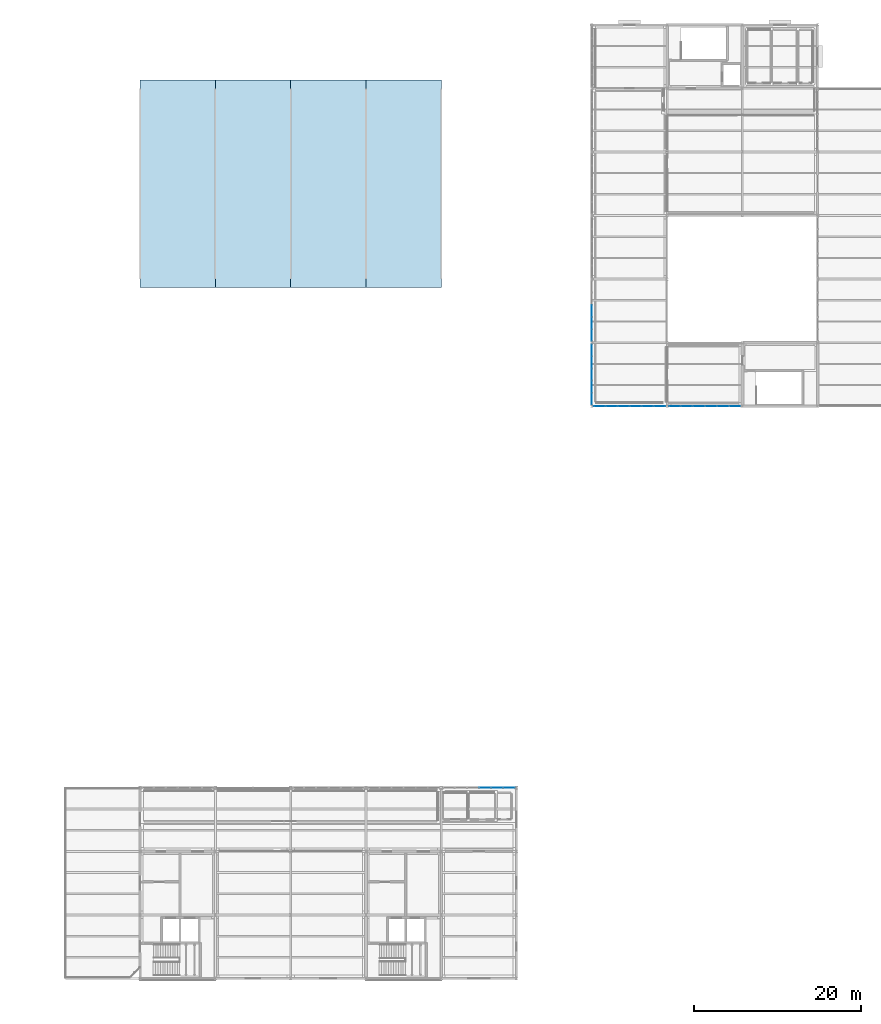
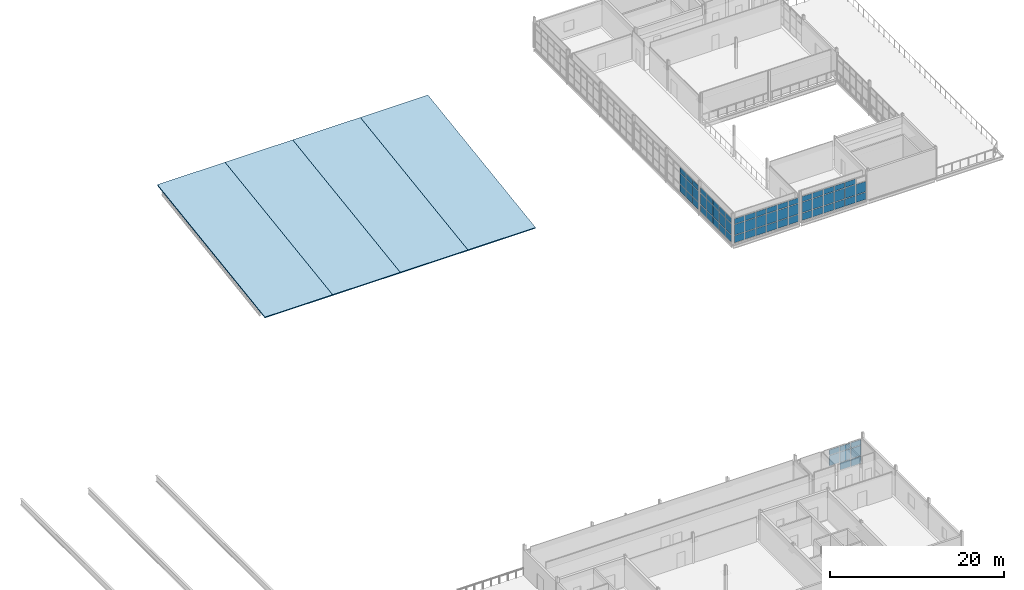
# One storey, part 34 of 48: 67 plates, 4 slabs, 5 elements without a shape of their own.
"""IFC4 building model written with IfcOpenShell, lengths in metres."""

from ifc_helpers import new_model, si_unit, direction, frame, origin, origin_2d, place, context, subcontext, project, spatial, polyline, rectangle, outline, extrude, material, layer, layer_set, type_object, element, aggregate, save


model = new_model("IFC4")

# Units and contexts
model_context = context("Model", 3, precision=1e-05, world=origin(), true_north=direction((0.0, 1.0)))
body_context = subcontext(model_context, "Body", "Model", "MODEL_VIEW")
ifc_project = project(units=[si_unit("LENGTHUNIT", "METRE"), si_unit("AREAUNIT", "SQUARE_METRE"), si_unit("VOLUMEUNIT", "CUBIC_METRE"), si_unit("PLANEANGLEUNIT", "RADIAN"), si_unit("MASSUNIT", "GRAM", prefix="KILO")], contexts=[model_context])

# Site, building, storey
site_placement = place(None, origin())
site = spatial("IfcSite", under=ifc_project, at=site_placement, CompositionType="ELEMENT")
building_placement = place(site_placement, origin())
building = spatial("IfcBuilding", under=site, at=building_placement, Name="Caisbarro Railhouse Central Library", CompositionType="ELEMENT")
storey_placement = place(building_placement, frame((0.0, 0.0, 18.0)))
storey = spatial("IfcBuildingStorey", under=building, at=storey_placement, Name="L04", CompositionType="ELEMENT", Elevation=18.0)

# Curtain wall, plates
ifc_material_1 = material(Name="Anodised architectural aluminium", Category="aluminium")
curtain_wall_type = type_object("IfcCurtainWallType", Name="CW-CW02", PredefinedType="NOTDEFINED", material=ifc_material_1)
curtain_wall_1_placement = place(storey_placement, origin())
curtain_wall_1 = element("IfcCurtainWall", 1, at=curtain_wall_1_placement, inside=storey, type_object=curtain_wall_type, Name="CW02 curtain wall L04 #155", PredefinedType="NOTDEFINED")
ifc_material_2 = material(Name="Double low-e laminated solar-control glass", Category="glass")
ifc_layer_1 = layer(ifc_material_2, 0.01806640625, Name="Double low-e laminated solar-control glass")
ifc_layer_set_1 = layer_set([ifc_layer_1], Name="Double low-e laminated solar-control glass")
plate_type_1 = type_object("IfcPlateType", Name="CWP-CP18", PredefinedType="CURTAIN_PANEL", material=ifc_layer_set_1)
plate_1_placement = place(storey_placement, frame((117.0, 69.30419921875, 0.0751953125), z_axis=(0.0, 0.0, 1.0), x_axis=(0.0, 1.0, 0.0)))
plate_1 = element("IfcPlate", 2, at=plate_1_placement, type_object=plate_type_1, Name="CW02 panel 1.1", PredefinedType="CURTAIN_PANEL", context=body_context, shape_type="SweptSolid", body=[
    extrude(rectangle(XDim=1.3583984375, YDim=0.01806640625, at=origin_2d()), origin(), (0.0, 0.0, 1.0), 1.007568359375),
])
plate_2_placement = place(storey_placement, frame((117.0, 69.30419921875, 1.15771484375), z_axis=(0.0, 0.0, 1.0), x_axis=(0.0, 1.0, 0.0)))
plate_2 = element("IfcPlate", 3, at=plate_2_placement, type_object=plate_type_1, Name="CW02 panel 1.2", PredefinedType="CURTAIN_PANEL", context=body_context, shape_type="SweptSolid", body=[
    extrude(rectangle(XDim=1.3583984375, YDim=0.01806640625, at=origin_2d()), origin(), (0.0, 0.0, 1.0), 1.514892578125),
])
plate_3_placement = place(storey_placement, frame((117.0, 69.30419921875, 2.74755859375), z_axis=(0.0, 0.0, 1.0), x_axis=(0.0, 1.0, 0.0)))
plate_3 = element("IfcPlate", 4, at=plate_3_placement, type_object=plate_type_1, Name="CW02 panel 1.3", PredefinedType="CURTAIN_PANEL", context=body_context, shape_type="SweptSolid", body=[
    extrude(rectangle(XDim=1.3583984375, YDim=0.01806640625, at=origin_2d()), origin(), (0.0, 0.0, 1.0), 0.737548828125),
])
plate_4_placement = place(storey_placement, frame((117.0, 70.743896484375, 0.0751953125), z_axis=(0.0, 0.0, 1.0), x_axis=(0.0, 1.0, 0.0)))
plate_4 = element("IfcPlate", 5, at=plate_4_placement, type_object=plate_type_1, Name="CW02 panel 2.1", PredefinedType="CURTAIN_PANEL", context=body_context, shape_type="SweptSolid", body=[
    extrude(rectangle(XDim=1.39111328125, YDim=0.01806640625, at=origin_2d()), origin(), (0.0, 0.0, 1.0), 1.007568359375),
])
plate_5_placement = place(storey_placement, frame((117.0, 70.743896484375, 1.15771484375), z_axis=(0.0, 0.0, 1.0), x_axis=(0.0, 1.0, 0.0)))
plate_5 = element("IfcPlate", 6, at=plate_5_placement, type_object=plate_type_1, Name="CW02 panel 2.2", PredefinedType="CURTAIN_PANEL", context=body_context, shape_type="SweptSolid", body=[
    extrude(rectangle(XDim=1.39111328125, YDim=0.01806640625, at=origin_2d()), origin(), (0.0, 0.0, 1.0), 1.514892578125),
])
plate_6_placement = place(storey_placement, frame((117.0, 70.743896484375, 2.74755859375), z_axis=(0.0, 0.0, 1.0), x_axis=(0.0, 1.0, 0.0)))
plate_6 = element("IfcPlate", 7, at=plate_6_placement, type_object=plate_type_1, Name="CW02 panel 2.3", PredefinedType="CURTAIN_PANEL", context=body_context, shape_type="SweptSolid", body=[
    extrude(rectangle(XDim=1.39111328125, YDim=0.01806640625, at=origin_2d()), origin(), (0.0, 0.0, 1.0), 0.737548828125),
])
plate_7_placement = place(storey_placement, frame((117.0, 72.199951171875, 0.0751953125), z_axis=(0.0, 0.0, 1.0), x_axis=(0.0, 1.0, 0.0)))
plate_7 = element("IfcPlate", 8, at=plate_7_placement, type_object=plate_type_1, Name="CW02 panel 3.1", PredefinedType="CURTAIN_PANEL", context=body_context, shape_type="SweptSolid", body=[
    extrude(rectangle(XDim=1.39111328125, YDim=0.01806640625, at=origin_2d()), origin(), (0.0, 0.0, 1.0), 1.007568359375),
])
plate_8_placement = place(storey_placement, frame((117.0, 72.199951171875, 1.15771484375), z_axis=(0.0, 0.0, 1.0), x_axis=(0.0, 1.0, 0.0)))
plate_8 = element("IfcPlate", 9, at=plate_8_placement, type_object=plate_type_1, Name="CW02 panel 3.2", PredefinedType="CURTAIN_PANEL", context=body_context, shape_type="SweptSolid", body=[
    extrude(rectangle(XDim=1.39111328125, YDim=0.01806640625, at=origin_2d()), origin(), (0.0, 0.0, 1.0), 1.514892578125),
])
plate_9_placement = place(storey_placement, frame((117.0, 72.199951171875, 2.74755859375), z_axis=(0.0, 0.0, 1.0), x_axis=(0.0, 1.0, 0.0)))
plate_9 = element("IfcPlate", 10, at=plate_9_placement, type_object=plate_type_1, Name="CW02 panel 3.3", PredefinedType="CURTAIN_PANEL", context=body_context, shape_type="SweptSolid", body=[
    extrude(rectangle(XDim=1.39111328125, YDim=0.01806640625, at=origin_2d()), origin(), (0.0, 0.0, 1.0), 0.737548828125),
])
plate_10_placement = place(storey_placement, frame((117.0, 73.656005859375, 0.0751953125), z_axis=(0.0, 0.0, 1.0), x_axis=(0.0, 1.0, 0.0)))
plate_10 = element("IfcPlate", 11, at=plate_10_placement, type_object=plate_type_1, Name="CW02 panel 4.1", PredefinedType="CURTAIN_PANEL", context=body_context, shape_type="SweptSolid", body=[
    extrude(rectangle(XDim=1.39111328125, YDim=0.01806640625, at=origin_2d()), origin(), (0.0, 0.0, 1.0), 1.007568359375),
])
plate_11_placement = place(storey_placement, frame((117.0, 73.656005859375, 1.15771484375), z_axis=(0.0, 0.0, 1.0), x_axis=(0.0, 1.0, 0.0)))
plate_11 = element("IfcPlate", 12, at=plate_11_placement, type_object=plate_type_1, Name="CW02 panel 4.2", PredefinedType="CURTAIN_PANEL", context=body_context, shape_type="SweptSolid", body=[
    extrude(rectangle(XDim=1.39111328125, YDim=0.01806640625, at=origin_2d()), origin(), (0.0, 0.0, 1.0), 1.514892578125),
])
plate_12_placement = place(storey_placement, frame((117.0, 73.656005859375, 2.74755859375), z_axis=(0.0, 0.0, 1.0), x_axis=(0.0, 1.0, 0.0)))
plate_12 = element("IfcPlate", 13, at=plate_12_placement, type_object=plate_type_1, Name="CW02 panel 4.3", PredefinedType="CURTAIN_PANEL", context=body_context, shape_type="SweptSolid", body=[
    extrude(rectangle(XDim=1.39111328125, YDim=0.01806640625, at=origin_2d()), origin(), (0.0, 0.0, 1.0), 0.737548828125),
])
plate_13_placement = place(storey_placement, frame((117.0, 75.095703125, 0.0751953125), z_axis=(0.0, 0.0, 1.0), x_axis=(0.0, 1.0, 0.0)))
plate_13 = element("IfcPlate", 14, at=plate_13_placement, type_object=plate_type_1, Name="CW02 panel 5.1", PredefinedType="CURTAIN_PANEL", context=body_context, shape_type="SweptSolid", body=[
    extrude(rectangle(XDim=1.3583984375, YDim=0.01806640625, at=origin_2d()), origin(), (0.0, 0.0, 1.0), 1.007568359375),
])
plate_14_placement = place(storey_placement, frame((117.0, 75.095703125, 1.15771484375), z_axis=(0.0, 0.0, 1.0), x_axis=(0.0, 1.0, 0.0)))
plate_14 = element("IfcPlate", 15, at=plate_14_placement, type_object=plate_type_1, Name="CW02 panel 5.2", PredefinedType="CURTAIN_PANEL", context=body_context, shape_type="SweptSolid", body=[
    extrude(rectangle(XDim=1.3583984375, YDim=0.01806640625, at=origin_2d()), origin(), (0.0, 0.0, 1.0), 1.514892578125),
])
plate_15_placement = place(storey_placement, frame((117.0, 75.095703125, 2.74755859375), z_axis=(0.0, 0.0, 1.0), x_axis=(0.0, 1.0, 0.0)))
plate_15 = element("IfcPlate", 16, at=plate_15_placement, type_object=plate_type_1, Name="CW02 panel 5.3", PredefinedType="CURTAIN_PANEL", context=body_context, shape_type="SweptSolid", body=[
    extrude(rectangle(XDim=1.3583984375, YDim=0.01806640625, at=origin_2d()), origin(), (0.0, 0.0, 1.0), 0.737548828125),
])
aggregate(curtain_wall_1, [plate_1, plate_2, plate_3, plate_4, plate_5, plate_6, plate_7, plate_8, plate_9, plate_10, plate_11, plate_12, plate_13, plate_14, plate_15])

curtain_wall_2_placement = place(storey_placement, origin())
curtain_wall_2 = element("IfcCurtainWall", 17, at=curtain_wall_2_placement, inside=storey, type_object=curtain_wall_type, Name="CW02 curtain wall L04 #156", PredefinedType="NOTDEFINED")
ifc_layer_2 = layer(ifc_material_2, 0.028076171875, Name="Double low-e laminated solar-control glass")
ifc_layer_set_2 = layer_set([ifc_layer_2], Name="Double low-e laminated solar-control glass")
plate_type_2 = type_object("IfcPlateType", Name="CWP-CP28", PredefinedType="CURTAIN_PANEL", material=ifc_layer_set_2)
plate_16_placement = place(storey_placement, frame((117.0, 76.904296875, 0.0751953125), z_axis=(0.0, 0.0, 1.0), x_axis=(0.0, 1.0, 0.0)))
plate_16 = element("IfcPlate", 18, at=plate_16_placement, type_object=plate_type_2, Name="CW02 panel 1.1", PredefinedType="CURTAIN_PANEL", context=body_context, shape_type="SweptSolid", body=[
    extrude(rectangle(XDim=1.3583984375, YDim=0.028076171875, at=origin_2d()), origin(), (0.0, 0.0, 1.0), 1.007568359375),
])
plate_17_placement = place(storey_placement, frame((117.0, 76.904296875, 1.15771484375), z_axis=(0.0, 0.0, 1.0), x_axis=(0.0, 1.0, 0.0)))
plate_17 = element("IfcPlate", 19, at=plate_17_placement, type_object=plate_type_2, Name="CW02 panel 1.2", PredefinedType="CURTAIN_PANEL", context=body_context, shape_type="SweptSolid", body=[
    extrude(rectangle(XDim=1.3583984375, YDim=0.028076171875, at=origin_2d()), origin(), (0.0, 0.0, 1.0), 1.514892578125),
])
plate_18_placement = place(storey_placement, frame((117.0, 76.904296875, 2.74755859375), z_axis=(0.0, 0.0, 1.0), x_axis=(0.0, 1.0, 0.0)))
plate_18 = element("IfcPlate", 20, at=plate_18_placement, type_object=plate_type_2, Name="CW02 panel 1.3", PredefinedType="CURTAIN_PANEL", context=body_context, shape_type="SweptSolid", body=[
    extrude(rectangle(XDim=1.3583984375, YDim=0.028076171875, at=origin_2d()), origin(), (0.0, 0.0, 1.0), 0.737548828125),
])
plate_19_placement = place(storey_placement, frame((117.0, 78.343994140625, 0.0751953125), z_axis=(0.0, 0.0, 1.0), x_axis=(0.0, 1.0, 0.0)))
plate_19 = element("IfcPlate", 21, at=plate_19_placement, type_object=plate_type_2, Name="CW02 panel 2.1", PredefinedType="CURTAIN_PANEL", context=body_context, shape_type="SweptSolid", body=[
    extrude(rectangle(XDim=1.39111328125, YDim=0.028076171875, at=origin_2d()), origin(), (0.0, 0.0, 1.0), 1.007568359375),
])
plate_20_placement = place(storey_placement, frame((117.0, 78.343994140625, 1.15771484375), z_axis=(0.0, 0.0, 1.0), x_axis=(0.0, 1.0, 0.0)))
plate_20 = element("IfcPlate", 22, at=plate_20_placement, type_object=plate_type_2, Name="CW02 panel 2.2", PredefinedType="CURTAIN_PANEL", context=body_context, shape_type="SweptSolid", body=[
    extrude(rectangle(XDim=1.39111328125, YDim=0.028076171875, at=origin_2d()), origin(), (0.0, 0.0, 1.0), 1.514892578125),
])
plate_21_placement = place(storey_placement, frame((117.0, 78.343994140625, 2.74755859375), z_axis=(0.0, 0.0, 1.0), x_axis=(0.0, 1.0, 0.0)))
plate_21 = element("IfcPlate", 23, at=plate_21_placement, type_object=plate_type_2, Name="CW02 panel 2.3", PredefinedType="CURTAIN_PANEL", context=body_context, shape_type="SweptSolid", body=[
    extrude(rectangle(XDim=1.39111328125, YDim=0.028076171875, at=origin_2d()), origin(), (0.0, 0.0, 1.0), 0.737548828125),
])
plate_22_placement = place(storey_placement, frame((117.0, 79.800048828125, 0.0751953125), z_axis=(0.0, 0.0, 1.0), x_axis=(0.0, 1.0, 0.0)))
plate_22 = element("IfcPlate", 24, at=plate_22_placement, type_object=plate_type_2, Name="CW02 panel 3.1", PredefinedType="CURTAIN_PANEL", context=body_context, shape_type="SweptSolid", body=[
    extrude(rectangle(XDim=1.39111328125, YDim=0.028076171875, at=origin_2d()), origin(), (0.0, 0.0, 1.0), 1.007568359375),
])
plate_23_placement = place(storey_placement, frame((117.0, 79.800048828125, 1.15771484375), z_axis=(0.0, 0.0, 1.0), x_axis=(0.0, 1.0, 0.0)))
plate_23 = element("IfcPlate", 25, at=plate_23_placement, type_object=plate_type_2, Name="CW02 panel 3.2", PredefinedType="CURTAIN_PANEL", context=body_context, shape_type="SweptSolid", body=[
    extrude(rectangle(XDim=1.39111328125, YDim=0.028076171875, at=origin_2d()), origin(), (0.0, 0.0, 1.0), 1.514892578125),
])
plate_24_placement = place(storey_placement, frame((117.0, 79.800048828125, 2.74755859375), z_axis=(0.0, 0.0, 1.0), x_axis=(0.0, 1.0, 0.0)))
plate_24 = element("IfcPlate", 26, at=plate_24_placement, type_object=plate_type_2, Name="CW02 panel 3.3", PredefinedType="CURTAIN_PANEL", context=body_context, shape_type="SweptSolid", body=[
    extrude(rectangle(XDim=1.39111328125, YDim=0.028076171875, at=origin_2d()), origin(), (0.0, 0.0, 1.0), 0.737548828125),
])
aggregate(curtain_wall_2, [plate_16, plate_17, plate_18, plate_19, plate_20, plate_21, plate_22, plate_23, plate_24])

curtain_wall_3_placement = place(storey_placement, origin())
curtain_wall_3 = element("IfcCurtainWall", 27, at=curtain_wall_3_placement, inside=storey, type_object=curtain_wall_type, Name="CW02 curtain wall L04 #161", PredefinedType="NOTDEFINED")
plate_25_placement = place(storey_placement, frame((117.902099609375, 68.39990234375, 0.0751953125), z_axis=(0.0, 0.0, 1.0), x_axis=(1.0, 0.0, 0.0)))
plate_25 = element("IfcPlate", 28, at=plate_25_placement, type_object=plate_type_2, Name="CW02 panel 1.1", PredefinedType="CURTAIN_PANEL", context=body_context, shape_type="SweptSolid", body=[
    extrude(rectangle(XDim=1.334228515625, YDim=0.028076171875, at=origin_2d()), origin(), (0.0, 0.0, 1.0), 1.007568359375),
])
plate_26_placement = place(storey_placement, frame((117.902099609375, 68.39990234375, 1.1572265625), z_axis=(0.0, 0.0, 1.0), x_axis=(1.0, 0.0, 0.0)))
plate_26 = element("IfcPlate", 29, at=plate_26_placement, type_object=plate_type_2, Name="CW02 panel 1.2", PredefinedType="CURTAIN_PANEL", context=body_context, shape_type="SweptSolid", body=[
    extrude(rectangle(XDim=1.334228515625, YDim=0.028076171875, at=origin_2d()), origin(), (0.0, 0.0, 1.0), 1.465087890625),
])
plate_27_placement = place(storey_placement, frame((117.902099609375, 68.39990234375, 2.697265625), z_axis=(0.0, 0.0, 1.0), x_axis=(1.0, 0.0, 0.0)))
plate_27 = element("IfcPlate", 30, at=plate_27_placement, type_object=plate_type_2, Name="CW02 panel 1.3", PredefinedType="CURTAIN_PANEL", context=body_context, shape_type="SweptSolid", body=[
    extrude(rectangle(XDim=1.334228515625, YDim=0.028076171875, at=origin_2d()), origin(), (0.0, 0.0, 1.0), 0.737548828125),
])
plate_28_placement = place(storey_placement, frame((119.330078125, 68.39990234375, 0.0751953125), z_axis=(0.0, 0.0, 1.0), x_axis=(1.0, 0.0, 0.0)))
plate_28 = element("IfcPlate", 31, at=plate_28_placement, type_object=plate_type_2, Name="CW02 panel 2.1", PredefinedType="CURTAIN_PANEL", context=body_context, shape_type="SweptSolid", body=[
    extrude(rectangle(XDim=1.37158203125, YDim=0.028076171875, at=origin_2d()), origin(), (0.0, 0.0, 1.0), 1.007568359375),
])
plate_29_placement = place(storey_placement, frame((119.330078125, 68.39990234375, 1.1572265625), z_axis=(0.0, 0.0, 1.0), x_axis=(1.0, 0.0, 0.0)))
plate_29 = element("IfcPlate", 32, at=plate_29_placement, type_object=plate_type_2, Name="CW02 panel 2.2", PredefinedType="CURTAIN_PANEL", context=body_context, shape_type="SweptSolid", body=[
    extrude(rectangle(XDim=1.37158203125, YDim=0.028076171875, at=origin_2d()), origin(), (0.0, 0.0, 1.0), 1.465087890625),
])
plate_30_placement = place(storey_placement, frame((119.330078125, 68.39990234375, 2.697265625), z_axis=(0.0, 0.0, 1.0), x_axis=(1.0, 0.0, 0.0)))
plate_30 = element("IfcPlate", 33, at=plate_30_placement, type_object=plate_type_2, Name="CW02 panel 2.3", PredefinedType="CURTAIN_PANEL", context=body_context, shape_type="SweptSolid", body=[
    extrude(rectangle(XDim=1.37158203125, YDim=0.028076171875, at=origin_2d()), origin(), (0.0, 0.0, 1.0), 0.737548828125),
])
plate_31_placement = place(storey_placement, frame((120.776611328125, 68.39990234375, 0.0751953125), z_axis=(0.0, 0.0, 1.0), x_axis=(1.0, 0.0, 0.0)))
plate_31 = element("IfcPlate", 34, at=plate_31_placement, type_object=plate_type_2, Name="CW02 panel 3.1", PredefinedType="CURTAIN_PANEL", context=body_context, shape_type="SweptSolid", body=[
    extrude(rectangle(XDim=1.37158203125, YDim=0.028076171875, at=origin_2d()), origin(), (0.0, 0.0, 1.0), 1.007568359375),
])
plate_32_placement = place(storey_placement, frame((120.776611328125, 68.39990234375, 1.1572265625), z_axis=(0.0, 0.0, 1.0), x_axis=(1.0, 0.0, 0.0)))
plate_32 = element("IfcPlate", 35, at=plate_32_placement, type_object=plate_type_2, Name="CW02 panel 3.2", PredefinedType="CURTAIN_PANEL", context=body_context, shape_type="SweptSolid", body=[
    extrude(rectangle(XDim=1.37158203125, YDim=0.028076171875, at=origin_2d()), origin(), (0.0, 0.0, 1.0), 1.465087890625),
])
plate_33_placement = place(storey_placement, frame((120.776611328125, 68.39990234375, 2.697265625), z_axis=(0.0, 0.0, 1.0), x_axis=(1.0, 0.0, 0.0)))
plate_33 = element("IfcPlate", 36, at=plate_33_placement, type_object=plate_type_2, Name="CW02 panel 3.3", PredefinedType="CURTAIN_PANEL", context=body_context, shape_type="SweptSolid", body=[
    extrude(rectangle(XDim=1.37158203125, YDim=0.028076171875, at=origin_2d()), origin(), (0.0, 0.0, 1.0), 0.737548828125),
])
plate_34_placement = place(storey_placement, frame((122.223388671875, 68.39990234375, 0.0751953125), z_axis=(0.0, 0.0, 1.0), x_axis=(1.0, 0.0, 0.0)))
plate_34 = element("IfcPlate", 37, at=plate_34_placement, type_object=plate_type_2, Name="CW02 panel 4.1", PredefinedType="CURTAIN_PANEL", context=body_context, shape_type="SweptSolid", body=[
    extrude(rectangle(XDim=1.37158203125, YDim=0.028076171875, at=origin_2d()), origin(), (0.0, 0.0, 1.0), 1.007568359375),
])
plate_35_placement = place(storey_placement, frame((122.223388671875, 68.39990234375, 1.1572265625), z_axis=(0.0, 0.0, 1.0), x_axis=(1.0, 0.0, 0.0)))
plate_35 = element("IfcPlate", 38, at=plate_35_placement, type_object=plate_type_2, Name="CW02 panel 4.2", PredefinedType="CURTAIN_PANEL", context=body_context, shape_type="SweptSolid", body=[
    extrude(rectangle(XDim=1.37158203125, YDim=0.028076171875, at=origin_2d()), origin(), (0.0, 0.0, 1.0), 1.465087890625),
])
plate_36_placement = place(storey_placement, frame((122.223388671875, 68.39990234375, 2.697265625), z_axis=(0.0, 0.0, 1.0), x_axis=(1.0, 0.0, 0.0)))
plate_36 = element("IfcPlate", 39, at=plate_36_placement, type_object=plate_type_2, Name="CW02 panel 4.3", PredefinedType="CURTAIN_PANEL", context=body_context, shape_type="SweptSolid", body=[
    extrude(rectangle(XDim=1.37158203125, YDim=0.028076171875, at=origin_2d()), origin(), (0.0, 0.0, 1.0), 0.737548828125),
])
plate_37_placement = place(storey_placement, frame((123.669921875, 68.39990234375, 0.0751953125), z_axis=(0.0, 0.0, 1.0), x_axis=(1.0, 0.0, 0.0)))
plate_37 = element("IfcPlate", 40, at=plate_37_placement, type_object=plate_type_2, Name="CW02 panel 5.1", PredefinedType="CURTAIN_PANEL", context=body_context, shape_type="SweptSolid", body=[
    extrude(rectangle(XDim=1.37158203125, YDim=0.028076171875, at=origin_2d()), origin(), (0.0, 0.0, 1.0), 1.007568359375),
])
plate_38_placement = place(storey_placement, frame((123.669921875, 68.39990234375, 1.1572265625), z_axis=(0.0, 0.0, 1.0), x_axis=(1.0, 0.0, 0.0)))
plate_38 = element("IfcPlate", 41, at=plate_38_placement, type_object=plate_type_2, Name="CW02 panel 5.2", PredefinedType="CURTAIN_PANEL", context=body_context, shape_type="SweptSolid", body=[
    extrude(rectangle(XDim=1.37158203125, YDim=0.028076171875, at=origin_2d()), origin(), (0.0, 0.0, 1.0), 1.465087890625),
])
plate_39_placement = place(storey_placement, frame((123.669921875, 68.39990234375, 2.697265625), z_axis=(0.0, 0.0, 1.0), x_axis=(1.0, 0.0, 0.0)))
plate_39 = element("IfcPlate", 42, at=plate_39_placement, type_object=plate_type_2, Name="CW02 panel 5.3", PredefinedType="CURTAIN_PANEL", context=body_context, shape_type="SweptSolid", body=[
    extrude(rectangle(XDim=1.37158203125, YDim=0.028076171875, at=origin_2d()), origin(), (0.0, 0.0, 1.0), 0.737548828125),
])
plate_40_placement = place(storey_placement, frame((125.097900390625, 68.39990234375, 0.0751953125), z_axis=(0.0, 0.0, 1.0), x_axis=(1.0, 0.0, 0.0)))
plate_40 = element("IfcPlate", 43, at=plate_40_placement, type_object=plate_type_2, Name="CW02 panel 6.1", PredefinedType="CURTAIN_PANEL", context=body_context, shape_type="SweptSolid", body=[
    extrude(rectangle(XDim=1.334228515625, YDim=0.028076171875, at=origin_2d()), origin(), (0.0, 0.0, 1.0), 1.007568359375),
])
plate_41_placement = place(storey_placement, frame((125.097900390625, 68.39990234375, 1.1572265625), z_axis=(0.0, 0.0, 1.0), x_axis=(1.0, 0.0, 0.0)))
plate_41 = element("IfcPlate", 44, at=plate_41_placement, type_object=plate_type_2, Name="CW02 panel 6.2", PredefinedType="CURTAIN_PANEL", context=body_context, shape_type="SweptSolid", body=[
    extrude(rectangle(XDim=1.334228515625, YDim=0.028076171875, at=origin_2d()), origin(), (0.0, 0.0, 1.0), 1.465087890625),
])
plate_42_placement = place(storey_placement, frame((125.097900390625, 68.39990234375, 2.697265625), z_axis=(0.0, 0.0, 1.0), x_axis=(1.0, 0.0, 0.0)))
plate_42 = element("IfcPlate", 45, at=plate_42_placement, type_object=plate_type_2, Name="CW02 panel 6.3", PredefinedType="CURTAIN_PANEL", context=body_context, shape_type="SweptSolid", body=[
    extrude(rectangle(XDim=1.334228515625, YDim=0.028076171875, at=origin_2d()), origin(), (0.0, 0.0, 1.0), 0.737548828125),
])
aggregate(curtain_wall_3, [plate_25, plate_26, plate_27, plate_28, plate_29, plate_30, plate_31, plate_32, plate_33, plate_34, plate_35, plate_36, plate_37, plate_38, plate_39, plate_40, plate_41, plate_42])

curtain_wall_4_placement = place(storey_placement, origin())
curtain_wall_4 = element("IfcCurtainWall", 46, at=curtain_wall_4_placement, inside=storey, type_object=curtain_wall_type, Name="CW02 curtain wall L04 #162", PredefinedType="NOTDEFINED")
plate_43_placement = place(storey_placement, frame((126.902099609375, 68.39990234375, 0.0751953125), z_axis=(0.0, 0.0, 1.0), x_axis=(1.0, 0.0, 0.0)))
plate_43 = element("IfcPlate", 47, at=plate_43_placement, type_object=plate_type_2, Name="CW02 panel 1.1", PredefinedType="CURTAIN_PANEL", context=body_context, shape_type="SweptSolid", body=[
    extrude(rectangle(XDim=1.334228515625, YDim=0.028076171875, at=origin_2d()), origin(), (0.0, 0.0, 1.0), 1.007568359375),
])
plate_44_placement = place(storey_placement, frame((126.902099609375, 68.39990234375, 1.1572265625), z_axis=(0.0, 0.0, 1.0), x_axis=(1.0, 0.0, 0.0)))
plate_44 = element("IfcPlate", 48, at=plate_44_placement, type_object=plate_type_2, Name="CW02 panel 1.2", PredefinedType="CURTAIN_PANEL", context=body_context, shape_type="SweptSolid", body=[
    extrude(rectangle(XDim=1.334228515625, YDim=0.028076171875, at=origin_2d()), origin(), (0.0, 0.0, 1.0), 1.465087890625),
])
plate_45_placement = place(storey_placement, frame((126.902099609375, 68.39990234375, 2.697265625), z_axis=(0.0, 0.0, 1.0), x_axis=(1.0, 0.0, 0.0)))
plate_45 = element("IfcPlate", 49, at=plate_45_placement, type_object=plate_type_2, Name="CW02 panel 1.3", PredefinedType="CURTAIN_PANEL", context=body_context, shape_type="SweptSolid", body=[
    extrude(rectangle(XDim=1.334228515625, YDim=0.028076171875, at=origin_2d()), origin(), (0.0, 0.0, 1.0), 0.737548828125),
])
plate_46_placement = place(storey_placement, frame((128.330078125, 68.39990234375, 0.0751953125), z_axis=(0.0, 0.0, 1.0), x_axis=(1.0, 0.0, 0.0)))
plate_46 = element("IfcPlate", 50, at=plate_46_placement, type_object=plate_type_2, Name="CW02 panel 2.1", PredefinedType="CURTAIN_PANEL", context=body_context, shape_type="SweptSolid", body=[
    extrude(rectangle(XDim=1.37158203125, YDim=0.028076171875, at=origin_2d()), origin(), (0.0, 0.0, 1.0), 1.007568359375),
])
plate_47_placement = place(storey_placement, frame((128.330078125, 68.39990234375, 1.1572265625), z_axis=(0.0, 0.0, 1.0), x_axis=(1.0, 0.0, 0.0)))
plate_47 = element("IfcPlate", 51, at=plate_47_placement, type_object=plate_type_2, Name="CW02 panel 2.2", PredefinedType="CURTAIN_PANEL", context=body_context, shape_type="SweptSolid", body=[
    extrude(rectangle(XDim=1.37158203125, YDim=0.028076171875, at=origin_2d()), origin(), (0.0, 0.0, 1.0), 1.465087890625),
])
plate_48_placement = place(storey_placement, frame((128.330078125, 68.39990234375, 2.697265625), z_axis=(0.0, 0.0, 1.0), x_axis=(1.0, 0.0, 0.0)))
plate_48 = element("IfcPlate", 52, at=plate_48_placement, type_object=plate_type_2, Name="CW02 panel 2.3", PredefinedType="CURTAIN_PANEL", context=body_context, shape_type="SweptSolid", body=[
    extrude(rectangle(XDim=1.37158203125, YDim=0.028076171875, at=origin_2d()), origin(), (0.0, 0.0, 1.0), 0.737548828125),
])
plate_49_placement = place(storey_placement, frame((129.776611328125, 68.39990234375, 0.0751953125), z_axis=(0.0, 0.0, 1.0), x_axis=(1.0, 0.0, 0.0)))
plate_49 = element("IfcPlate", 53, at=plate_49_placement, type_object=plate_type_2, Name="CW02 panel 3.1", PredefinedType="CURTAIN_PANEL", context=body_context, shape_type="SweptSolid", body=[
    extrude(rectangle(XDim=1.37158203125, YDim=0.028076171875, at=origin_2d()), origin(), (0.0, 0.0, 1.0), 1.007568359375),
])
plate_50_placement = place(storey_placement, frame((129.776611328125, 68.39990234375, 1.1572265625), z_axis=(0.0, 0.0, 1.0), x_axis=(1.0, 0.0, 0.0)))
plate_50 = element("IfcPlate", 54, at=plate_50_placement, type_object=plate_type_2, Name="CW02 panel 3.2", PredefinedType="CURTAIN_PANEL", context=body_context, shape_type="SweptSolid", body=[
    extrude(rectangle(XDim=1.37158203125, YDim=0.028076171875, at=origin_2d()), origin(), (0.0, 0.0, 1.0), 1.465087890625),
])
plate_51_placement = place(storey_placement, frame((129.776611328125, 68.39990234375, 2.697265625), z_axis=(0.0, 0.0, 1.0), x_axis=(1.0, 0.0, 0.0)))
plate_51 = element("IfcPlate", 55, at=plate_51_placement, type_object=plate_type_2, Name="CW02 panel 3.3", PredefinedType="CURTAIN_PANEL", context=body_context, shape_type="SweptSolid", body=[
    extrude(rectangle(XDim=1.37158203125, YDim=0.028076171875, at=origin_2d()), origin(), (0.0, 0.0, 1.0), 0.737548828125),
])
plate_52_placement = place(storey_placement, frame((131.223388671875, 68.39990234375, 0.0751953125), z_axis=(0.0, 0.0, 1.0), x_axis=(1.0, 0.0, 0.0)))
plate_52 = element("IfcPlate", 56, at=plate_52_placement, type_object=plate_type_2, Name="CW02 panel 4.1", PredefinedType="CURTAIN_PANEL", context=body_context, shape_type="SweptSolid", body=[
    extrude(rectangle(XDim=1.37158203125, YDim=0.028076171875, at=origin_2d()), origin(), (0.0, 0.0, 1.0), 1.007568359375),
])
plate_53_placement = place(storey_placement, frame((131.223388671875, 68.39990234375, 1.1572265625), z_axis=(0.0, 0.0, 1.0), x_axis=(1.0, 0.0, 0.0)))
plate_53 = element("IfcPlate", 57, at=plate_53_placement, type_object=plate_type_2, Name="CW02 panel 4.2", PredefinedType="CURTAIN_PANEL", context=body_context, shape_type="SweptSolid", body=[
    extrude(rectangle(XDim=1.37158203125, YDim=0.028076171875, at=origin_2d()), origin(), (0.0, 0.0, 1.0), 1.465087890625),
])
plate_54_placement = place(storey_placement, frame((131.223388671875, 68.39990234375, 2.697265625), z_axis=(0.0, 0.0, 1.0), x_axis=(1.0, 0.0, 0.0)))
plate_54 = element("IfcPlate", 58, at=plate_54_placement, type_object=plate_type_2, Name="CW02 panel 4.3", PredefinedType="CURTAIN_PANEL", context=body_context, shape_type="SweptSolid", body=[
    extrude(rectangle(XDim=1.37158203125, YDim=0.028076171875, at=origin_2d()), origin(), (0.0, 0.0, 1.0), 0.737548828125),
])
plate_55_placement = place(storey_placement, frame((132.669921875, 68.39990234375, 0.0751953125), z_axis=(0.0, 0.0, 1.0), x_axis=(1.0, 0.0, 0.0)))
plate_55 = element("IfcPlate", 59, at=plate_55_placement, type_object=plate_type_2, Name="CW02 panel 5.1", PredefinedType="CURTAIN_PANEL", context=body_context, shape_type="SweptSolid", body=[
    extrude(rectangle(XDim=1.37158203125, YDim=0.028076171875, at=origin_2d()), origin(), (0.0, 0.0, 1.0), 1.007568359375),
])
plate_56_placement = place(storey_placement, frame((132.669921875, 68.39990234375, 1.1572265625), z_axis=(0.0, 0.0, 1.0), x_axis=(1.0, 0.0, 0.0)))
plate_56 = element("IfcPlate", 60, at=plate_56_placement, type_object=plate_type_2, Name="CW02 panel 5.2", PredefinedType="CURTAIN_PANEL", context=body_context, shape_type="SweptSolid", body=[
    extrude(rectangle(XDim=1.37158203125, YDim=0.028076171875, at=origin_2d()), origin(), (0.0, 0.0, 1.0), 1.465087890625),
])
plate_57_placement = place(storey_placement, frame((132.669921875, 68.39990234375, 2.697265625), z_axis=(0.0, 0.0, 1.0), x_axis=(1.0, 0.0, 0.0)))
plate_57 = element("IfcPlate", 61, at=plate_57_placement, type_object=plate_type_2, Name="CW02 panel 5.3", PredefinedType="CURTAIN_PANEL", context=body_context, shape_type="SweptSolid", body=[
    extrude(rectangle(XDim=1.37158203125, YDim=0.028076171875, at=origin_2d()), origin(), (0.0, 0.0, 1.0), 0.737548828125),
])
plate_58_placement = place(storey_placement, frame((134.097900390625, 68.39990234375, 0.0751953125), z_axis=(0.0, 0.0, 1.0), x_axis=(1.0, 0.0, 0.0)))
plate_58 = element("IfcPlate", 62, at=plate_58_placement, type_object=plate_type_2, Name="CW02 panel 6.1", PredefinedType="CURTAIN_PANEL", context=body_context, shape_type="SweptSolid", body=[
    extrude(rectangle(XDim=1.334228515625, YDim=0.028076171875, at=origin_2d()), origin(), (0.0, 0.0, 1.0), 1.007568359375),
])
plate_59_placement = place(storey_placement, frame((134.097900390625, 68.39990234375, 1.1572265625), z_axis=(0.0, 0.0, 1.0), x_axis=(1.0, 0.0, 0.0)))
plate_59 = element("IfcPlate", 63, at=plate_59_placement, type_object=plate_type_2, Name="CW02 panel 6.2", PredefinedType="CURTAIN_PANEL", context=body_context, shape_type="SweptSolid", body=[
    extrude(rectangle(XDim=1.334228515625, YDim=0.028076171875, at=origin_2d()), origin(), (0.0, 0.0, 1.0), 1.465087890625),
])
aggregate(curtain_wall_4, [plate_43, plate_44, plate_45, plate_46, plate_47, plate_48, plate_49, plate_50, plate_51, plate_52, plate_53, plate_54, plate_55, plate_56, plate_57, plate_58, plate_59])

curtain_wall_5_placement = place(storey_placement, origin())
curtain_wall_5 = element("IfcCurtainWall", 64, at=curtain_wall_5_placement, inside=storey, type_object=curtain_wall_type, Name="CW02 curtain wall L04 #70", PredefinedType="NOTDEFINED")
ifc_layer_3 = layer(ifc_material_2, 0.05810546875, Name="Double low-e laminated solar-control glass")
ifc_layer_set_3 = layer_set([ifc_layer_3], Name="Double low-e laminated solar-control glass")
plate_type_3 = type_object("IfcPlateType", Name="CWP-CP58", PredefinedType="CURTAIN_PANEL", material=ifc_layer_set_3)
plate_60_placement = place(storey_placement, frame((104.223388671875, 22.800048828125, 1.15771484375), z_axis=(0.0, 0.0, 1.0), x_axis=(1.0, 0.0, 0.0)))
plate_60 = element("IfcPlate", 65, at=plate_60_placement, type_object=plate_type_3, Name="CW02 panel 4.2", PredefinedType="CURTAIN_PANEL", context=body_context, shape_type="SweptSolid", body=[
    extrude(rectangle(XDim=1.37158203125, YDim=0.05810546875, at=origin_2d()), origin(), (0.0, 0.0, 1.0), 1.425048828125),
])
plate_61_placement = place(storey_placement, frame((104.223388671875, 22.800048828125, 2.65771484375), z_axis=(0.0, 0.0, 1.0), x_axis=(1.0, 0.0, 0.0)))
plate_61 = element("IfcPlate", 66, at=plate_61_placement, type_object=plate_type_3, Name="CW02 panel 4.3", PredefinedType="CURTAIN_PANEL", context=body_context, shape_type="SweptSolid", body=[
    extrude(rectangle(XDim=1.37158203125, YDim=0.05810546875, at=origin_2d()), origin(), (0.0, 0.0, 1.0), 0.737548828125),
])
plate_62_placement = place(storey_placement, frame((105.669921875, 22.800048828125, 0.0751953125), z_axis=(0.0, 0.0, 1.0), x_axis=(1.0, 0.0, 0.0)))
plate_62 = element("IfcPlate", 67, at=plate_62_placement, type_object=plate_type_3, Name="CW02 panel 5.1", PredefinedType="CURTAIN_PANEL", context=body_context, shape_type="SweptSolid", body=[
    extrude(rectangle(XDim=1.37158203125, YDim=0.05810546875, at=origin_2d()), origin(), (0.0, 0.0, 1.0), 1.007568359375),
])
plate_63_placement = place(storey_placement, frame((105.669921875, 22.800048828125, 1.15771484375), z_axis=(0.0, 0.0, 1.0), x_axis=(1.0, 0.0, 0.0)))
plate_63 = element("IfcPlate", 68, at=plate_63_placement, type_object=plate_type_3, Name="CW02 panel 5.2", PredefinedType="CURTAIN_PANEL", context=body_context, shape_type="SweptSolid", body=[
    extrude(rectangle(XDim=1.37158203125, YDim=0.05810546875, at=origin_2d()), origin(), (0.0, 0.0, 1.0), 1.425048828125),
])
plate_64_placement = place(storey_placement, frame((105.669921875, 22.800048828125, 2.65771484375), z_axis=(0.0, 0.0, 1.0), x_axis=(1.0, 0.0, 0.0)))
plate_64 = element("IfcPlate", 69, at=plate_64_placement, type_object=plate_type_3, Name="CW02 panel 5.3", PredefinedType="CURTAIN_PANEL", context=body_context, shape_type="SweptSolid", body=[
    extrude(rectangle(XDim=1.37158203125, YDim=0.05810546875, at=origin_2d()), origin(), (0.0, 0.0, 1.0), 0.737548828125),
])
plate_65_placement = place(storey_placement, frame((107.097900390625, 22.800048828125, 0.0751953125), z_axis=(0.0, 0.0, 1.0), x_axis=(1.0, 0.0, 0.0)))
plate_65 = element("IfcPlate", 70, at=plate_65_placement, type_object=plate_type_3, Name="CW02 panel 6.1", PredefinedType="CURTAIN_PANEL", context=body_context, shape_type="SweptSolid", body=[
    extrude(rectangle(XDim=1.334228515625, YDim=0.05810546875, at=origin_2d()), origin(), (0.0, 0.0, 1.0), 1.007568359375),
])
plate_66_placement = place(storey_placement, frame((107.097900390625, 22.800048828125, 1.15771484375), z_axis=(0.0, 0.0, 1.0), x_axis=(1.0, 0.0, 0.0)))
plate_66 = element("IfcPlate", 71, at=plate_66_placement, type_object=plate_type_3, Name="CW02 panel 6.2", PredefinedType="CURTAIN_PANEL", context=body_context, shape_type="SweptSolid", body=[
    extrude(rectangle(XDim=1.334228515625, YDim=0.05810546875, at=origin_2d()), origin(), (0.0, 0.0, 1.0), 1.425048828125),
])
plate_67_placement = place(storey_placement, frame((107.097900390625, 22.800048828125, 2.65771484375), z_axis=(0.0, 0.0, 1.0), x_axis=(1.0, 0.0, 0.0)))
plate_67 = element("IfcPlate", 72, at=plate_67_placement, type_object=plate_type_3, Name="CW02 panel 6.3", PredefinedType="CURTAIN_PANEL", context=body_context, shape_type="SweptSolid", body=[
    extrude(rectangle(XDim=1.334228515625, YDim=0.05810546875, at=origin_2d()), origin(), (0.0, 0.0, 1.0), 0.737548828125),
])
aggregate(curtain_wall_5, [plate_60, plate_61, plate_62, plate_63, plate_64, plate_65, plate_66, plate_67])

# Slabs
ifc_material_3 = material(Name="Concrete C35", Category="concrete")
ifc_layer_4 = layer(ifc_material_3, 0.14990234375, Name="Concrete C35")
ifc_layer_set_4 = layer_set([ifc_layer_4], Name="Concrete C35")
slab_type = type_object("IfcSlabType", Name="SLB-RF15", PredefinedType="ROOF", material=ifc_layer_set_4)
for number, where, z_axis, x_axis, name in (
    (73, (63.0, 82.60009765625, 0.0), (0.0, -0.143660563739, 0.989627021876), (1.0, 0.0, 0.0), "V6 Mono-Pitch Veranda Roof Strip 1"),
    (74, (72.0, 82.60009765625, 0.0), (0.0, -0.143660563739, 0.989627021876), (1.0, 0.0, 0.0), "V6 Mono-Pitch Veranda Roof Strip 2"),
    (75, (81.0, 82.60009765625, 0.0), (0.0, -0.143660563739, 0.989627021876), (1.0, 0.0, 0.0), "V6 Mono-Pitch Veranda Roof Strip 3"),
    (76, (90.0, 82.60009765625, 0.0), (0.0, -0.143660563739, 0.989627021876), (1.0, 0.0, 0.0), "V6 Mono-Pitch Veranda Roof Strip 4"),
):
    element("IfcSlab", number, at=place(storey_placement, frame(where, z_axis=z_axis, x_axis=x_axis)), inside=storey, type_object=slab_type, Name=name, PredefinedType="ROOF", context=body_context, shape_type="SweptSolid", body=[
        extrude(outline(polyline([(0.0, 0.0), (9.0, 0.0), (9.0, 25.059748914797286), (0.0, 25.059748914797286), (0.0, 0.0)])), origin(), (0.0, 0.0, -1.0), 0.14990234375),
    ])

save(model, "model.ifc")
